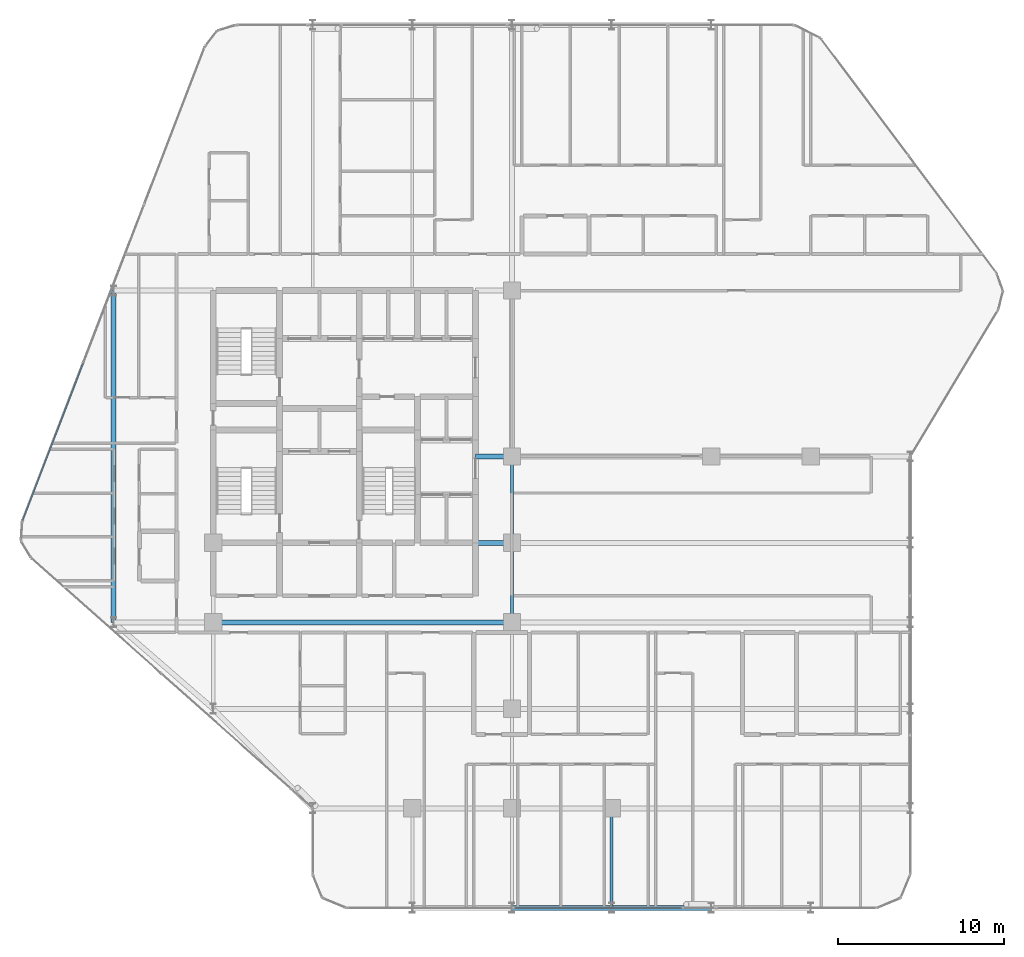
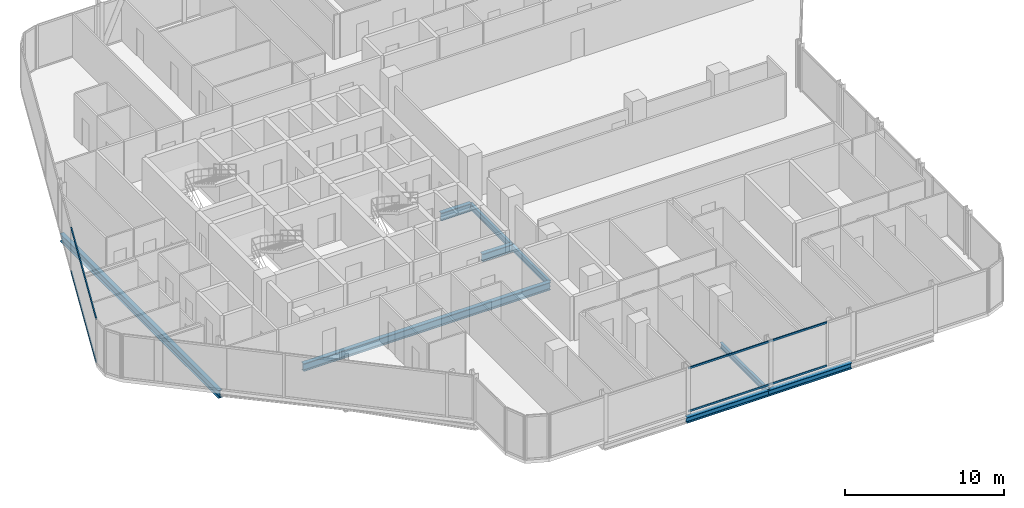
# One storey, part 7 of 29: 9 beams, 4 members, 2 elements without a shape of their own.
"""IFC4 building model written with IfcOpenShell, lengths in metres."""

from ifc_helpers import new_model, si_unit, direction, frame, origin, origin_2d, place, context, subcontext, project, spatial, hollow_rectangle, i_section, extrude, material, layer, layer_set, material_profile, profile_set, type_object, element, aggregate, save


model = new_model("IFC4")

# Units and contexts
model_context = context("Model", 3, precision=1e-05, world=origin(), true_north=direction((0.0, 1.0)))
body_context = subcontext(model_context, "Body", "Model", "MODEL_VIEW")
ifc_project = project(units=[si_unit("LENGTHUNIT", "METRE"), si_unit("AREAUNIT", "SQUARE_METRE"), si_unit("VOLUMEUNIT", "CUBIC_METRE"), si_unit("PLANEANGLEUNIT", "RADIAN"), si_unit("MASSUNIT", "GRAM", prefix="KILO")], contexts=[model_context])

# Site, building, storey
site_placement = place(None, origin())
site = spatial("IfcSite", under=ifc_project, at=site_placement, CompositionType="ELEMENT")
building_placement = place(site_placement, origin())
building = spatial("IfcBuilding", under=site, at=building_placement, Name="Keshet Zoharim Tower", CompositionType="ELEMENT")
storey_placement = place(building_placement, frame((0.0, 0.0, 98.300048828125)))
storey = spatial("IfcBuildingStorey", under=building, at=storey_placement, Name="L23", CompositionType="ELEMENT", Elevation=98.300048828125)

# Beams
ifc_material_1 = material(Name="Steel S355", Category="steel")
ifc_material_profile_1 = material_profile(ifc_material_1, i_section(OverallWidth=0.300048828125, OverallDepth=0.60009765625, WebThickness=0.015380859375, FlangeThickness=0.030029296875, FilletRadius=0.027099609375, at=origin_2d()), Name="HEB600")
ifc_profile_set_1 = profile_set([ifc_material_profile_1], Name="Steel S355")
beam_type_1 = type_object("IfcBeamType", Name="BM-CLK-HB600", PredefinedType="BEAM", material=ifc_profile_set_1)
for number, where, z_axis, x_axis, name in (
    (1, (30.800048828125, 22.699951171875, -0.614990234375), (1.0, 0.0, 0.0), (0.0, 1.0, 0.0), "L23 Core Wall Link Girder 01"),
    (2, (30.800048828125, 27.89990234375, -0.614990234375), (1.0, 0.0, 0.0), (0.0, 1.0, 0.0), "L23 Core Wall Link Girder 02"),
):
    element("IfcBeam", number, at=place(storey_placement, frame(where, z_axis=z_axis, x_axis=x_axis)), inside=storey, type_object=beam_type_1, Name=name, PredefinedType="BEAM", context=body_context, shape_type="SweptSolid", body=[
        extrude(i_section(OverallWidth=0.300048828125, OverallDepth=0.60009765625, WebThickness=0.015380859375, FlangeThickness=0.030029296875, FilletRadius=0.027099609375, at=origin_2d()), origin(), (0.0, 0.0, 1.0), 2.199951171875),
    ])
ifc_material_profile_2 = material_profile(ifc_material_1, i_section(OverallWidth=0.300048828125, OverallDepth=0.60009765625, WebThickness=0.015380859375, FlangeThickness=0.030029296875, FilletRadius=0.027099609375, at=origin_2d()), Name="HEB600")
ifc_profile_set_2 = profile_set([ifc_material_profile_2], Name="Steel S355")
beam_type_2 = type_object("IfcBeamType", Name="BM-LNG-HB600", PredefinedType="BEAM", material=ifc_profile_set_2)
beam_1_placement = place(storey_placement, frame((15.0, 17.89990234375, -0.614990234375), z_axis=(1.0, 0.0, 0.0), x_axis=(0.0, 1.0, 0.0)))
element("IfcBeam", 3, at=beam_1_placement, inside=storey, type_object=beam_type_2, Name="L23 Primary Girder X-012", PredefinedType="BEAM", context=body_context, shape_type="SweptSolid", body=[
    extrude(i_section(OverallWidth=0.300048828125, OverallDepth=0.60009765625, WebThickness=0.015380859375, FlangeThickness=0.030029296875, FilletRadius=0.027099609375, at=origin_2d()), origin(), (0.0, 0.0, 1.0), 18.0),
])
beam_2_placement = place(storey_placement, frame((9.0, 17.89990234375, -0.614990234375), z_axis=(0.0, 1.0, 0.0), x_axis=(-1.0, 0.0, 0.0)))
element("IfcBeam", 4, at=beam_2_placement, inside=storey, type_object=beam_type_2, Name="L23 Primary Girder Y-001", PredefinedType="BEAM", context=body_context, shape_type="SweptSolid", body=[
    extrude(i_section(OverallWidth=0.300048828125, OverallDepth=0.60009765625, WebThickness=0.015380859375, FlangeThickness=0.030029296875, FilletRadius=0.027099609375, at=origin_2d()), origin(), (0.0, 0.0, 1.0), 20.0),
])
ifc_material_profile_3 = material_profile(ifc_material_1, i_section(OverallWidth=0.18994140625, OverallDepth=0.449951171875, WebThickness=0.009521484375, FlangeThickness=0.0146484375, FilletRadius=0.02099609375, at=origin_2d()), Name="IPE450")
ifc_profile_set_3 = profile_set([ifc_material_profile_3], Name="Steel S355")
beam_type_3 = type_object("IfcBeamType", Name="BM-PRI-IP450", PredefinedType="BEAM", material=ifc_profile_set_3)
beam_3_placement = place(storey_placement, frame((33.0, 17.89990234375, -0.5400390625), z_axis=(0.0, 1.0, 0.0), x_axis=(-1.0, 0.0, 0.0)))
element("IfcBeam", 5, at=beam_3_placement, inside=storey, type_object=beam_type_3, Name="L23 Primary Girder Y-008", PredefinedType="BEAM", context=body_context, shape_type="SweptSolid", body=[
    extrude(i_section(OverallWidth=0.18994140625, OverallDepth=0.449951171875, WebThickness=0.009521484375, FlangeThickness=0.0146484375, FilletRadius=0.02099609375, at=origin_2d()), origin(), (0.0, 0.0, 1.0), 4.800048828125),
])
beam_4_placement = place(storey_placement, frame((33.0, 22.699951171875, -0.5400390625), z_axis=(0.0, 1.0, 0.0), x_axis=(-1.0, 0.0, 0.0)))
element("IfcBeam", 6, at=beam_4_placement, inside=storey, type_object=beam_type_3, Name="L23 Primary Girder Y-009", PredefinedType="BEAM", context=body_context, shape_type="SweptSolid", body=[
    extrude(i_section(OverallWidth=0.18994140625, OverallDepth=0.449951171875, WebThickness=0.009521484375, FlangeThickness=0.0146484375, FilletRadius=0.02099609375, at=origin_2d()), origin(), (0.0, 0.0, 1.0), 5.199951171875),
])
beam_5_placement = place(storey_placement, frame((39.0, 0.699951171875, -0.5400390625), z_axis=(0.0, 1.0, 0.0), x_axis=(-1.0, 0.0, 0.0)))
element("IfcBeam", 7, at=beam_5_placement, inside=storey, type_object=beam_type_3, Name="L23 Primary Girder Y-012", PredefinedType="BEAM", context=body_context, shape_type="SweptSolid", body=[
    extrude(i_section(OverallWidth=0.18994140625, OverallDepth=0.449951171875, WebThickness=0.009521484375, FlangeThickness=0.0146484375, FilletRadius=0.02099609375, at=origin_2d()), origin(), (0.0, 0.0, 1.0), 6.0),
])
ifc_material_profile_4 = material_profile(ifc_material_1, i_section(OverallWidth=0.300048828125, OverallDepth=0.449951171875, WebThickness=0.013916015625, FlangeThickness=0.02587890625, FilletRadius=0.027099609375, at=origin_2d()), Name="HEB450")
ifc_profile_set_4 = profile_set([ifc_material_profile_4], Name="Steel S355")
beam_type_4 = type_object("IfcBeamType", Name="BM-WEB-HB450", PredefinedType="BEAM", material=ifc_profile_set_4)
for number, where, z_axis, x_axis, name in (
    (8, (33.0, 0.699951171875, -0.5400390625), (1.0, 0.0, 0.0), (0.0, 1.0, 0.0), "L23 Primary Girder X-002"),
    (9, (39.0, 0.699951171875, -0.5400390625), (1.0, 0.0, 0.0), (0.0, 1.0, 0.0), "L23 Primary Girder X-003"),
):
    element("IfcBeam", number, at=place(storey_placement, frame(where, z_axis=z_axis, x_axis=x_axis)), inside=storey, type_object=beam_type_4, Name=name, PredefinedType="BEAM", context=body_context, shape_type="SweptSolid", body=[
        extrude(i_section(OverallWidth=0.300048828125, OverallDepth=0.449951171875, WebThickness=0.013916015625, FlangeThickness=0.02587890625, FilletRadius=0.027099609375, at=origin_2d()), origin(), (0.0, 0.0, 1.0), 6.0),
    ])

# Curtain wall, members
ifc_material_2 = material(Name="Aluminium 6063-T6", Category="aluminium")
ifc_layer = layer(ifc_material_2, 0.159912109375)
ifc_layer_set = layer_set([ifc_layer], Name="Aluminium 6063-T6")
curtain_wall_type = type_object("IfcCurtainWallType", Name="CW-SYS-03", PredefinedType="NOTDEFINED", material=ifc_layer_set)
curtain_wall_1_placement = place(storey_placement, origin())
curtain_wall_1 = element("IfcCurtainWall", 10, at=curtain_wall_1_placement, inside=storey, type_object=curtain_wall_type, Name="L23 Unitised Curtain Wall 03 Part 3", PredefinedType="NOTDEFINED")
ifc_material_profile_5 = material_profile(ifc_material_2, hollow_rectangle(XDim=0.080078125, YDim=0.139892578125, WallThickness=0.00390625, at=origin_2d()), Name="TRN-80x140")
ifc_profile_set_5 = profile_set([ifc_material_profile_5], Name="Aluminium 6063-T6")
member_type = type_object("IfcMemberType", Name="CWT-T14", PredefinedType="USERDEFINED", material=ifc_profile_set_5)
member_1_placement = place(storey_placement, frame((43.2373046875, 0.699951171875, 0.034912109375), z_axis=(-1.0, 0.0, 0.0), x_axis=(0.0, -1.0, 0.0)))
member_1 = element("IfcMember", 11, at=member_1_placement, type_object=member_type, Name="CW-03 transom 1.1", ObjectType="TRANSOM", PredefinedType="USERDEFINED", context=body_context, shape_type="SweptSolid", body=[
    extrude(hollow_rectangle(XDim=0.080078125, YDim=0.139892578125, WallThickness=0.00390625, at=origin_2d()), origin(), (0.0, 0.0, 1.0), 10.08349609375),
])
member_2_placement = place(storey_placement, frame((43.2373046875, 0.699951171875, 3.349853515625), z_axis=(-1.0, 0.0, 0.0), x_axis=(0.0, -1.0, 0.0)))
member_2 = element("IfcMember", 12, at=member_2_placement, type_object=member_type, Name="CW-03 transom 1.2", ObjectType="TRANSOM", PredefinedType="USERDEFINED", context=body_context, shape_type="SweptSolid", body=[
    extrude(hollow_rectangle(XDim=0.080078125, YDim=0.139892578125, WallThickness=0.00390625, at=origin_2d()), origin(), (0.0, 0.0, 1.0), 10.08349609375),
])
aggregate(curtain_wall_1, [member_1, member_2])

curtain_wall_2_placement = place(storey_placement, origin())
curtain_wall_2 = element("IfcCurtainWall", 13, at=curtain_wall_2_placement, inside=storey, type_object=curtain_wall_type, Name="L23 Unitised Curtain Wall 10", PredefinedType="NOTDEFINED")
member_3_placement = place(storey_placement, frame((3.522216796875, 24.058349609375, 0.034912109375), z_axis=(0.358993631387, 0.93334000912, 0.0), x_axis=(-0.93334000912, 0.358993631387, 0.0)))
member_3 = element("IfcMember", 14, at=member_3_placement, type_object=member_type, Name="CW-03 transom 1.1", ObjectType="TRANSOM", PredefinedType="USERDEFINED", context=body_context, shape_type="SweptSolid", body=[
    extrude(hollow_rectangle(XDim=0.080078125, YDim=0.139892578125, WallThickness=0.00390625, at=origin_2d()), origin(), (0.0, 0.0, 1.0), 10.1181640625),
])
member_4_placement = place(storey_placement, frame((3.522216796875, 24.058349609375, 3.349853515625), z_axis=(0.358993631387, 0.93334000912, 0.0), x_axis=(-0.93334000912, 0.358993631387, 0.0)))
member_4 = element("IfcMember", 15, at=member_4_placement, type_object=member_type, Name="CW-03 transom 1.2", ObjectType="TRANSOM", PredefinedType="USERDEFINED", context=body_context, shape_type="SweptSolid", body=[
    extrude(hollow_rectangle(XDim=0.080078125, YDim=0.139892578125, WallThickness=0.00390625, at=origin_2d()), origin(), (0.0, 0.0, 1.0), 10.1181640625),
])
aggregate(curtain_wall_2, [member_3, member_4])

save(model, "model.ifc")
